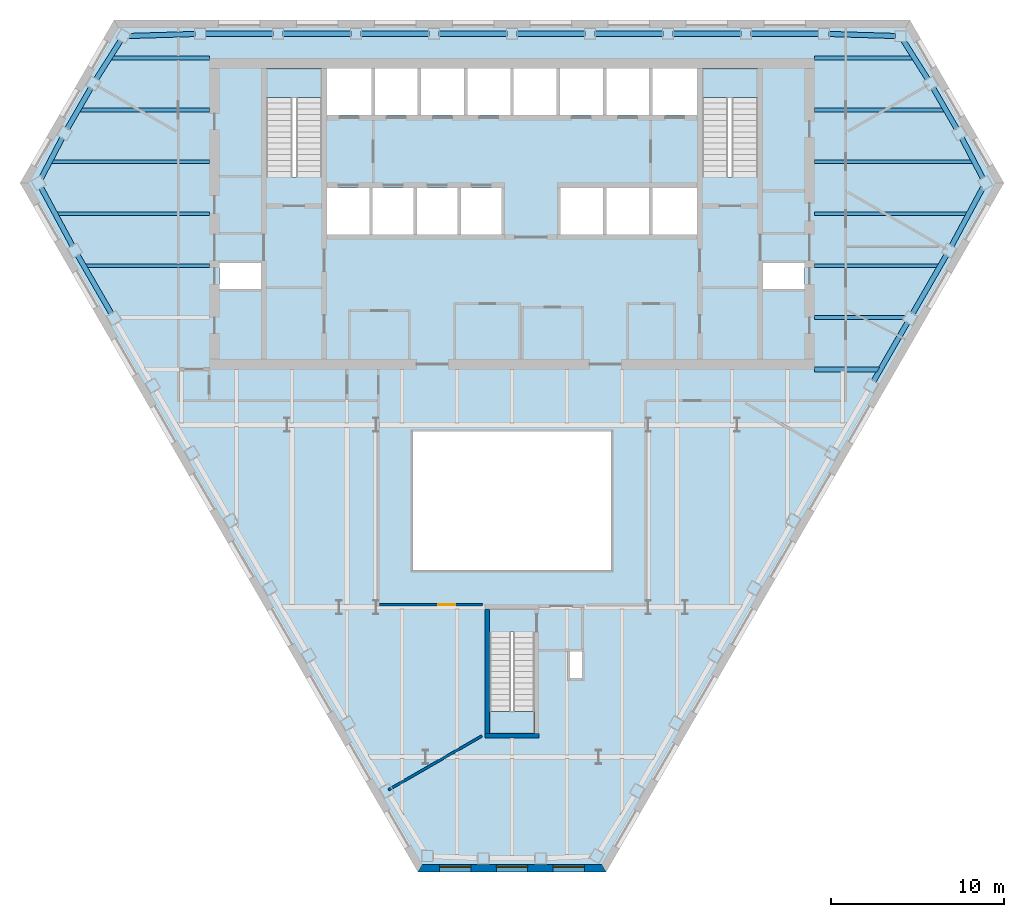
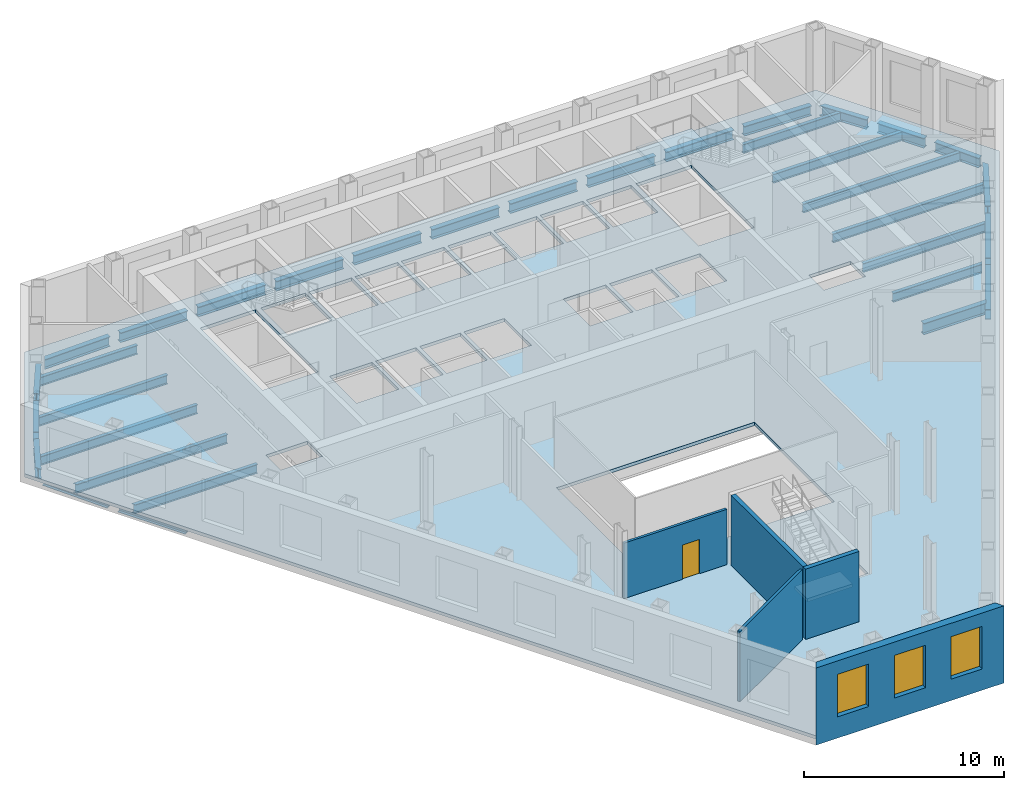
# One storey, part 3 of 10: 33 beams, 5 walls, 4 slabs, 3 windows, 1 door, 4 openings, 3 elements without a shape of their own.
"""IFC4 building model written with IfcOpenShell, lengths in metres."""

from ifc_helpers import new_model, si_unit, direction, frame, frame_2d, origin, origin_2d, place, context, subcontext, project, spatial, polyline, rectangle, i_section, outline, extrude, clip, halfspace, material, layer, layer_set, material_profile, profile_set, type_object, element, fill, aggregate, save


model = new_model("IFC4")

# Units and contexts
model_context = context("Model", 3, precision=1e-05, world=origin(), true_north=direction((0.0, 1.0)))
body_context = subcontext(model_context, "Body", "Model", "MODEL_VIEW")
ifc_project = project(units=[si_unit("LENGTHUNIT", "METRE"), si_unit("AREAUNIT", "SQUARE_METRE"), si_unit("VOLUMEUNIT", "CUBIC_METRE"), si_unit("PLANEANGLEUNIT", "RADIAN"), si_unit("MASSUNIT", "GRAM", prefix="KILO")], contexts=[model_context])

# Site, building, storey
site_placement = place(None, origin())
site = spatial("IfcSite", under=ifc_project, at=site_placement, CompositionType="ELEMENT")
building_placement = place(site_placement, origin())
building = spatial("IfcBuilding", under=site, at=building_placement, Name="Njiva Tower", CompositionType="ELEMENT")
storey_placement = place(building_placement, frame((0.0, 0.0, 73.8)))
storey = spatial("IfcBuildingStorey", under=building, at=storey_placement, Name="L15", CompositionType="ELEMENT", Elevation=73.8)

# Beams
ifc_material_1 = material(Name="Steel S355 J2", Category="steel")
ifc_material_profile_1 = material_profile(ifc_material_1, i_section(OverallWidth=0.21, OverallDepth=0.55, WebThickness=0.0111, FlangeThickness=0.0172, at=origin_2d()), Name="IPE 550")
ifc_profile_set_1 = profile_set([ifc_material_profile_1], Name="Steel S355 J2")
beam_type_1 = type_object("IfcBeamType", Name="B10 Floor beam to the core IPE 550", PredefinedType="BEAM", material=ifc_profile_set_1)
beam_1_placement = place(storey_placement, frame((17.5, 3.0, -0.475), z_axis=(1.0, 0.0, 0.0), x_axis=(0.0, 1.0, 0.0)))
element("IfcBeam", 1, at=beam_1_placement, inside=storey, type_object=beam_type_1, Name="Floor beam to the core S05-B008", PredefinedType="BEAM", context=body_context, shape_type="Clipping", body=[
    clip(extrude(i_section(OverallWidth=0.21, OverallDepth=0.55, WebThickness=0.0111, FlangeThickness=0.0172, at=origin_2d()), origin(), (0.0, 0.0, 1.0), 5.261), halfspace(frame((-0.025, 0.0, 5.1655), z_axis=(-0.499998009787, 0.0, 0.866026552831), x_axis=(0.0, 1.0, 0.0)), False)),
])
beam_2_placement = place(storey_placement, frame((-24.723, 6.0, -0.475), z_axis=(1.0, 0.0, 0.0), x_axis=(0.0, 1.0, 0.0)))
element("IfcBeam", 2, at=beam_2_placement, inside=storey, type_object=beam_type_1, Name="Floor beam to the core S05-B004", PredefinedType="BEAM", context=body_context, shape_type="Clipping", body=[
    clip(extrude(i_section(OverallWidth=0.21, OverallDepth=0.55, WebThickness=0.0111, FlangeThickness=0.0172, at=origin_2d()), origin(), (0.0, 0.0, 1.0), 7.223), halfspace(frame((-0.025, 0.0, 0.095), z_axis=(-0.499998009787, 0.0, -0.866026552831), x_axis=(0.0, -1.0, 0.0)), False)),
])
beam_3_placement = place(storey_placement, frame((17.5, 6.0, -0.475), z_axis=(1.0, 0.0, 0.0), x_axis=(0.0, 1.0, 0.0)))
element("IfcBeam", 3, at=beam_3_placement, inside=storey, type_object=beam_type_1, Name="Floor beam to the core S05-B010", PredefinedType="BEAM", context=body_context, shape_type="Clipping", body=[
    clip(extrude(i_section(OverallWidth=0.21, OverallDepth=0.55, WebThickness=0.0111, FlangeThickness=0.0172, at=origin_2d()), origin(), (0.0, 0.0, 1.0), 7.223), halfspace(frame((-0.025, 0.0, 7.128), z_axis=(-0.499998009787, 0.0, 0.866026552831), x_axis=(0.0, 1.0, 0.0)), False)),
])
beam_4_placement = place(storey_placement, frame((-26.369, 9.0, -0.475), z_axis=(1.0, 0.0, 0.0), x_axis=(0.0, 1.0, 0.0)))
element("IfcBeam", 4, at=beam_4_placement, inside=storey, type_object=beam_type_1, Name="Floor beam to the core S05-B002", PredefinedType="BEAM", context=body_context, shape_type="Clipping", body=[
    clip(extrude(i_section(OverallWidth=0.21, OverallDepth=0.55, WebThickness=0.0111, FlangeThickness=0.0172, at=origin_2d()), origin(), (0.0, 0.0, 1.0), 8.869), halfspace(frame((-0.0237, 0.0, 0.0891), z_axis=(-0.473769423091, 0.0, -0.880648927634), x_axis=(0.0, -1.0, 0.0)), False)),
])
beam_5_placement = place(storey_placement, frame((17.5, 9.0, -0.475), z_axis=(1.0, 0.0, 0.0), x_axis=(0.0, 1.0, 0.0)))
element("IfcBeam", 5, at=beam_5_placement, inside=storey, type_object=beam_type_1, Name="Floor beam to the core S05-B011", PredefinedType="BEAM", context=body_context, shape_type="Clipping", body=[
    clip(extrude(i_section(OverallWidth=0.21, OverallDepth=0.55, WebThickness=0.0111, FlangeThickness=0.0172, at=origin_2d()), origin(), (0.0, 0.0, 1.0), 8.869), halfspace(frame((-0.0237, 0.0, 8.7799), z_axis=(-0.473769423091, 0.0, 0.880648927634), x_axis=(0.0, 1.0, 0.0)), False)),
])
beam_6_placement = place(storey_placement, frame((-26.684, 12.0, -0.475), z_axis=(1.0, 0.0, 0.0), x_axis=(0.0, 1.0, 0.0)))
element("IfcBeam", 6, at=beam_6_placement, inside=storey, type_object=beam_type_1, Name="Floor beam to the core S05-B001", PredefinedType="BEAM", context=body_context, shape_type="Clipping", body=[
    clip(extrude(i_section(OverallWidth=0.21, OverallDepth=0.55, WebThickness=0.0111, FlangeThickness=0.0172, at=origin_2d()), origin(), (0.0, 0.0, 1.0), 9.184), halfspace(frame((0.0232, 0.0, 0.0869), z_axis=(0.464049591961, 0.0, -0.885809221108), x_axis=(0.0, -1.0, 0.0)), False)),
])
beam_7_placement = place(storey_placement, frame((17.5, 12.0, -0.475), z_axis=(1.0, 0.0, 0.0), x_axis=(0.0, 1.0, 0.0)))
element("IfcBeam", 7, at=beam_7_placement, inside=storey, type_object=beam_type_1, Name="Floor beam to the core S05-B012", PredefinedType="BEAM", context=body_context, shape_type="Clipping", body=[
    clip(extrude(i_section(OverallWidth=0.21, OverallDepth=0.55, WebThickness=0.0111, FlangeThickness=0.0172, at=origin_2d()), origin(), (0.0, 0.0, 1.0), 9.184), halfspace(frame((0.0232, 0.0, 9.0971), z_axis=(0.464049591961, 0.0, 0.885809221108), x_axis=(0.0, 1.0, 0.0)), False)),
])
beam_8_placement = place(storey_placement, frame((-25.044, 15.0, -0.475), z_axis=(1.0, 0.0, 0.0), x_axis=(0.0, 1.0, 0.0)))
element("IfcBeam", 8, at=beam_8_placement, inside=storey, type_object=beam_type_1, Name="Floor beam to the core S05-B003", PredefinedType="BEAM", context=body_context, shape_type="Clipping", body=[
    clip(extrude(i_section(OverallWidth=0.21, OverallDepth=0.55, WebThickness=0.0111, FlangeThickness=0.0172, at=origin_2d()), origin(), (0.0, 0.0, 1.0), 7.544), halfspace(frame((0.025, 0.0, 0.0954), z_axis=(0.499998009787, 0.0, -0.866026552831), x_axis=(0.0, -1.0, 0.0)), False)),
])
beam_9_placement = place(storey_placement, frame((17.5, 15.0, -0.475), z_axis=(1.0, 0.0, 0.0), x_axis=(0.0, 1.0, 0.0)))
element("IfcBeam", 9, at=beam_9_placement, inside=storey, type_object=beam_type_1, Name="Floor beam to the core S05-B013", PredefinedType="BEAM", context=body_context, shape_type="Clipping", body=[
    clip(extrude(i_section(OverallWidth=0.21, OverallDepth=0.55, WebThickness=0.0111, FlangeThickness=0.0172, at=origin_2d()), origin(), (0.0, 0.0, 1.0), 7.544), halfspace(frame((0.025, 0.0, 7.4486), z_axis=(0.499998009787, 0.0, 0.866026552831), x_axis=(0.0, 1.0, 0.0)), False)),
])
beam_10_placement = place(storey_placement, frame((-23.232, 18.0, -0.475), z_axis=(1.0, 0.0, 0.0), x_axis=(0.0, 1.0, 0.0)))
element("IfcBeam", 10, at=beam_10_placement, inside=storey, type_object=beam_type_1, Name="Floor beam to the core S05-B005", PredefinedType="BEAM", context=body_context, shape_type="Clipping", body=[
    clip(extrude(i_section(OverallWidth=0.21, OverallDepth=0.55, WebThickness=0.0111, FlangeThickness=0.0172, at=origin_2d()), origin(), (0.0, 0.0, 1.0), 5.732), halfspace(frame((0.0268, 0.0, 0.1036), z_axis=(0.535111080792, 0.0, -0.84478170625), x_axis=(0.0, -1.0, 0.0)), False)),
])
beam_11_placement = place(storey_placement, frame((17.5, 18.0, -0.475), z_axis=(1.0, 0.0, 0.0), x_axis=(0.0, 1.0, 0.0)))
element("IfcBeam", 11, at=beam_11_placement, inside=storey, type_object=beam_type_1, Name="Floor beam to the core S05-B014", PredefinedType="BEAM", context=body_context, shape_type="Clipping", body=[
    clip(extrude(i_section(OverallWidth=0.21, OverallDepth=0.55, WebThickness=0.0111, FlangeThickness=0.0172, at=origin_2d()), origin(), (0.0, 0.0, 1.0), 5.732), halfspace(frame((0.0268, 0.0, 5.6284), z_axis=(0.535111080792, 0.0, 0.84478170625), x_axis=(0.0, 1.0, 0.0)), False)),
])
ifc_material_profile_2 = material_profile(ifc_material_1, i_section(OverallWidth=0.3, OverallDepth=0.69, WebThickness=0.0145, FlangeThickness=0.027, at=origin_2d()), Name="HEA 700")
ifc_profile_set_2 = profile_set([ifc_material_profile_2], Name="Steel S355 J2")
beam_type_2 = type_object("IfcBeamType", Name="B16 Short-span floor girder HEA 700", PredefinedType="BEAM", material=ifc_profile_set_2)
beam_12_placement = place(storey_placement, frame((17.5, 0.0, -0.545), z_axis=(1.0, 0.0, 0.0), x_axis=(0.0, 1.0, 0.0)))
element("IfcBeam", 12, at=beam_12_placement, inside=storey, type_object=beam_type_2, Name="Short-span floor girder S05-B027", PredefinedType="BEAM", context=body_context, shape_type="Clipping", body=[
    clip(extrude(i_section(OverallWidth=0.3, OverallDepth=0.69, WebThickness=0.0145, FlangeThickness=0.027, at=origin_2d()), origin(), (0.0, 0.0, 1.0), 3.785), halfspace(frame((-0.025, 0.0, 3.6639), z_axis=(-0.499998009787, 0.0, 0.866026552831), x_axis=(0.0, 1.0, 0.0)), False)),
])
ifc_material_profile_3 = material_profile(ifc_material_1, i_section(OverallWidth=0.3, OverallDepth=0.6, WebThickness=0.0155, FlangeThickness=0.03, at=origin_2d()), Name="HEB 600")
ifc_profile_set_3 = profile_set([ifc_material_profile_3], Name="Steel S355 J2")
beam_type_3 = type_object("IfcBeamType", Name="B3 Short-span spandrel beam HEB 600", PredefinedType="SPANDREL", material=ifc_profile_set_3)
beam_13_placement = place(storey_placement, frame((22.157, 19.276, -0.5), z_axis=(-0.999547870884, 0.030067487615, 0.0), x_axis=(-0.030067487615, -0.999547870884, 0.0)))
element("IfcBeam", 13, at=beam_13_placement, inside=storey, type_object=beam_type_3, Name="Short-span spandrel beam S05-B157", PredefinedType="SPANDREL", context=body_context, shape_type="SweptSolid", body=[
    extrude(i_section(OverallWidth=0.3, OverallDepth=0.6, WebThickness=0.0155, FlangeThickness=0.03, at=origin_2d()), origin(), (0.0, 0.0, 1.0), 3.8247),
])
beam_14_placement = place(storey_placement, frame((17.73, 19.4, -0.5), z_axis=(-1.0, 0.0, 0.0), x_axis=(0.0, -1.0, 0.0)))
element("IfcBeam", 14, at=beam_14_placement, inside=storey, type_object=beam_type_3, Name="Short-span spandrel beam S05-B151", PredefinedType="SPANDREL", context=body_context, shape_type="SweptSolid", body=[
    extrude(i_section(OverallWidth=0.3, OverallDepth=0.6, WebThickness=0.0155, FlangeThickness=0.03, at=origin_2d()), origin(), (0.0, 0.0, 1.0), 3.907),
])
beam_15_placement = place(storey_placement, frame((13.223, 19.4, -0.5), z_axis=(-1.0, 0.0, 0.0), x_axis=(0.0, -1.0, 0.0)))
element("IfcBeam", 15, at=beam_15_placement, inside=storey, type_object=beam_type_3, Name="Short-span spandrel beam S05-B145", PredefinedType="SPANDREL", context=body_context, shape_type="SweptSolid", body=[
    extrude(i_section(OverallWidth=0.3, OverallDepth=0.6, WebThickness=0.0155, FlangeThickness=0.03, at=origin_2d()), origin(), (0.0, 0.0, 1.0), 3.908),
])
beam_16_placement = place(storey_placement, frame((8.715, 19.4, -0.5), z_axis=(-1.0, 0.0, 0.0), x_axis=(0.0, -1.0, 0.0)))
element("IfcBeam", 16, at=beam_16_placement, inside=storey, type_object=beam_type_3, Name="Short-span spandrel beam S05-B140", PredefinedType="SPANDREL", context=body_context, shape_type="SweptSolid", body=[
    extrude(i_section(OverallWidth=0.3, OverallDepth=0.6, WebThickness=0.0155, FlangeThickness=0.03, at=origin_2d()), origin(), (0.0, 0.0, 1.0), 3.907),
])
for number, where, z_axis, x_axis, name in (
    (17, (4.208, 19.4, -0.5), (-1.0, 0.0, 0.0), (0.0, -1.0, 0.0), "Short-span spandrel beam S05-B137"),
    (18, (-0.3, 19.4, -0.5), (-1.0, 0.0, 0.0), (0.0, -1.0, 0.0), "Short-span spandrel beam S05-B134"),
):
    element("IfcBeam", number, at=place(storey_placement, frame(where, z_axis=z_axis, x_axis=x_axis)), inside=storey, type_object=beam_type_3, Name=name, PredefinedType="SPANDREL", context=body_context, shape_type="SweptSolid", body=[
        extrude(i_section(OverallWidth=0.3, OverallDepth=0.6, WebThickness=0.0155, FlangeThickness=0.03, at=origin_2d()), origin(), (0.0, 0.0, 1.0), 3.908),
    ])
beam_17_placement = place(storey_placement, frame((-4.808, 19.4, -0.5), z_axis=(-1.0, 0.0, 0.0), x_axis=(0.0, -1.0, 0.0)))
element("IfcBeam", 19, at=beam_17_placement, inside=storey, type_object=beam_type_3, Name="Short-span spandrel beam S05-B129", PredefinedType="SPANDREL", context=body_context, shape_type="SweptSolid", body=[
    extrude(i_section(OverallWidth=0.3, OverallDepth=0.6, WebThickness=0.0155, FlangeThickness=0.03, at=origin_2d()), origin(), (0.0, 0.0, 1.0), 3.907),
])
beam_18_placement = place(storey_placement, frame((-9.315, 19.4, -0.5), z_axis=(-1.0, 0.0, 0.0), x_axis=(0.0, -1.0, 0.0)))
element("IfcBeam", 20, at=beam_18_placement, inside=storey, type_object=beam_type_3, Name="Short-span spandrel beam S05-B124", PredefinedType="SPANDREL", context=body_context, shape_type="SweptSolid", body=[
    extrude(i_section(OverallWidth=0.3, OverallDepth=0.6, WebThickness=0.0155, FlangeThickness=0.03, at=origin_2d()), origin(), (0.0, 0.0, 1.0), 3.908),
])
beam_19_placement = place(storey_placement, frame((-13.823, 19.4, -0.5), z_axis=(-1.0, 0.0, 0.0), x_axis=(0.0, -1.0, 0.0)))
element("IfcBeam", 21, at=beam_19_placement, inside=storey, type_object=beam_type_3, Name="Short-span spandrel beam S05-B118", PredefinedType="SPANDREL", context=body_context, shape_type="SweptSolid", body=[
    extrude(i_section(OverallWidth=0.3, OverallDepth=0.6, WebThickness=0.0155, FlangeThickness=0.03, at=origin_2d()), origin(), (0.0, 0.0, 1.0), 3.907),
])
beam_20_placement = place(storey_placement, frame((-18.334, 19.391, -0.5), z_axis=(-0.999544331639, -0.030184914916, 0.0), x_axis=(0.030184914916, -0.999544331639, 0.0)))
element("IfcBeam", 22, at=beam_20_placement, inside=storey, type_object=beam_type_3, Name="Short-span spandrel beam S05-B112", PredefinedType="SPANDREL", context=body_context, shape_type="Clipping", body=[
    clip(extrude(i_section(OverallWidth=0.3, OverallDepth=0.6, WebThickness=0.0155, FlangeThickness=0.03, at=origin_2d()), origin(), (0.0, 0.0, 1.0), 3.8897), halfspace(frame((-0.0268, 0.0, 3.76), z_axis=(-0.525911114325, 0.0, 0.850539534548), x_axis=(0.0, 1.0, 0.0)), False)),
])
beam_21_placement = place(storey_placement, frame((-22.625, 19.009, -0.5), z_axis=(-0.535006913074, -0.844847680333, 0.0), x_axis=(0.844847680333, -0.535006913074, 0.0)))
element("IfcBeam", 23, at=beam_21_placement, inside=storey, type_object=beam_type_3, Name="Short-span spandrel beam S05-B108", PredefinedType="SPANDREL", context=body_context, shape_type="SweptSolid", body=[
    extrude(i_section(OverallWidth=0.3, OverallDepth=0.6, WebThickness=0.0155, FlangeThickness=0.03, at=origin_2d()), origin(), (0.0, 0.0, 1.0), 2.6336),
])
beam_22_placement = place(storey_placement, frame((-24.347, 16.266, -0.5), z_axis=(-0.500253084543, -0.86587923604, 0.0), x_axis=(0.86587923604, -0.500253084543, 0.0)))
element("IfcBeam", 24, at=beam_22_placement, inside=storey, type_object=beam_type_3, Name="Short-span spandrel beam S05-B104", PredefinedType="SPANDREL", context=body_context, shape_type="SweptSolid", body=[
    extrude(i_section(OverallWidth=0.3, OverallDepth=0.6, WebThickness=0.0155, FlangeThickness=0.03, at=origin_2d()), origin(), (0.0, 0.0, 1.0), 2.7186),
])
beam_23_placement = place(storey_placement, frame((-25.999, 13.381, -0.5), z_axis=(-0.464006994671, -0.88583153528, 0.0), x_axis=(0.88583153528, -0.464006994671, 0.0)))
element("IfcBeam", 25, at=beam_23_placement, inside=storey, type_object=beam_type_3, Name="Short-span spandrel beam S05-B101", PredefinedType="SPANDREL", context=body_context, shape_type="Clipping", body=[
    clip(extrude(i_section(OverallWidth=0.3, OverallDepth=0.6, WebThickness=0.0155, FlangeThickness=0.03, at=origin_2d()), origin(), (0.0, 0.0, 1.0), 2.699), halfspace(frame((-0.0266, 0.0, 2.567), z_axis=(-0.535151057026, 0.0, 0.844756382731), x_axis=(0.0, 1.0, 0.0)), False)),
])
beam_24_placement = place(storey_placement, frame((-27.219, 10.51, -0.5), z_axis=(0.473881592304, -0.880588573896, 0.0), x_axis=(0.880588573896, 0.473881592304, 0.0)))
element("IfcBeam", 26, at=beam_24_placement, inside=storey, type_object=beam_type_3, Name="Short-span spandrel beam S05-B100", PredefinedType="SPANDREL", context=body_context, shape_type="SweptSolid", body=[
    extrude(i_section(OverallWidth=0.3, OverallDepth=0.6, WebThickness=0.0155, FlangeThickness=0.03, at=origin_2d()), origin(), (0.0, 0.0, 1.0), 3.8259),
])
beam_25_placement = place(storey_placement, frame((-25.112, 6.614, -0.5), z_axis=(0.499855389907, -0.866108878364, 0.0), x_axis=(0.866108878364, 0.499855389907, 0.0)))
element("IfcBeam", 27, at=beam_25_placement, inside=storey, type_object=beam_type_3, Name="Short-span spandrel beam S05-B105", PredefinedType="SPANDREL", context=body_context, shape_type="SweptSolid", body=[
    extrude(i_section(OverallWidth=0.3, OverallDepth=0.6, WebThickness=0.0155, FlangeThickness=0.03, at=origin_2d()), origin(), (0.0, 0.0, 1.0), 3.9071),
])
beam_26_placement = place(storey_placement, frame((20.905, -0.674, -0.5), z_axis=(0.500047346826, 0.865998066356, 0.0), x_axis=(-0.865998066356, 0.500047346826, 0.0)))
element("IfcBeam", 28, at=beam_26_placement, inside=storey, type_object=beam_type_3, Name="Short-span spandrel beam S05-B162", PredefinedType="SPANDREL", context=body_context, shape_type="SweptSolid", body=[
    extrude(i_section(OverallWidth=0.3, OverallDepth=0.6, WebThickness=0.0155, FlangeThickness=0.03, at=origin_2d()), origin(), (0.0, 0.0, 1.0), 3.9076),
])
beam_27_placement = place(storey_placement, frame((23.159, 3.23, -0.5), z_axis=(0.499855389907, 0.866108878364, 0.0), x_axis=(-0.866108878364, 0.499855389907, 0.0)))
element("IfcBeam", 29, at=beam_27_placement, inside=storey, type_object=beam_type_3, Name="Short-span spandrel beam S05-B166", PredefinedType="SPANDREL", context=body_context, shape_type="SweptSolid", body=[
    extrude(i_section(OverallWidth=0.3, OverallDepth=0.6, WebThickness=0.0155, FlangeThickness=0.03, at=origin_2d()), origin(), (0.0, 0.0, 1.0), 3.9071),
])
beam_28_placement = place(storey_placement, frame((25.406, 7.141, -0.5), z_axis=(0.473799891444, 0.880632535662, 0.0), x_axis=(-0.880632535662, 0.473799891444, 0.0)))
element("IfcBeam", 30, at=beam_28_placement, inside=storey, type_object=beam_type_3, Name="Short-span spandrel beam S05-B170", PredefinedType="SPANDREL", context=body_context, shape_type="Clipping", body=[
    clip(extrude(i_section(OverallWidth=0.3, OverallDepth=0.6, WebThickness=0.0155, FlangeThickness=0.03, at=origin_2d()), origin(), (0.0, 0.0, 1.0), 3.891), halfspace(frame((-0.0262, 0.0, 3.7613), z_axis=(-0.525752156411, 0.0, 0.850637801904), x_axis=(0.0, 1.0, 0.0)), False)),
])
beam_29_placement = place(storey_placement, frame((27.221, 11.048, -0.5), z_axis=(-0.463992806551, 0.885838967008, 0.0), x_axis=(-0.885838967008, -0.463992806551, 0.0)))
element("IfcBeam", 31, at=beam_29_placement, inside=storey, type_object=beam_type_3, Name="Short-span spandrel beam S05-B171", PredefinedType="SPANDREL", context=body_context, shape_type="SweptSolid", body=[
    extrude(i_section(OverallWidth=0.3, OverallDepth=0.6, WebThickness=0.0155, FlangeThickness=0.03, at=origin_2d()), origin(), (0.0, 0.0, 1.0), 2.6337),
])
beam_30_placement = place(storey_placement, frame((25.707, 13.912, -0.5), z_axis=(-0.500253084543, 0.86587923604, 0.0), x_axis=(-0.86587923604, -0.500253084543, 0.0)))
element("IfcBeam", 32, at=beam_30_placement, inside=storey, type_object=beam_type_3, Name="Short-span spandrel beam S05-B167", PredefinedType="SPANDREL", context=body_context, shape_type="SweptSolid", body=[
    extrude(i_section(OverallWidth=0.3, OverallDepth=0.6, WebThickness=0.0155, FlangeThickness=0.03, at=origin_2d()), origin(), (0.0, 0.0, 1.0), 2.7186),
])
beam_31_placement = place(storey_placement, frame((24.034, 16.784, -0.5), z_axis=(-0.535171755525, 0.844743269928, 0.0), x_axis=(-0.844743269928, -0.535171755525, 0.0)))
element("IfcBeam", 33, at=beam_31_placement, inside=storey, type_object=beam_type_3, Name="Short-span spandrel beam S05-B163", PredefinedType="SPANDREL", context=body_context, shape_type="Clipping", body=[
    clip(extrude(i_section(OverallWidth=0.3, OverallDepth=0.6, WebThickness=0.0155, FlangeThickness=0.03, at=origin_2d()), origin(), (0.0, 0.0, 1.0), 2.6992), halfspace(frame((-0.0269, 0.0, 2.5671), z_axis=(-0.535171755525, 0.0, 0.844743269928), x_axis=(0.0, 1.0, 0.0)), False)),
])

# Stair, slab
ifc_material_2 = material(Name="Concrete C40/50", Category="concrete")
stair_type_1 = type_object("IfcStairType", Name="ST4 Exit stair 1500", PredefinedType="HALF_TURN_STAIR", material=ifc_material_2)
stair_1_placement = place(storey_placement, origin())
stair_1 = element("IfcStair", 34, at=stair_1_placement, inside=storey, type_object=stair_type_1, Name="Stair A", PredefinedType="HALF_TURN_STAIR")
ifc_layer_1 = layer(ifc_material_2, 0.2)
ifc_layer_set_1 = layer_set([ifc_layer_1], Name="Concrete C40/50")
slab_type_1 = type_object("IfcSlabType", Name="FL9 Stair landing 200", PredefinedType="LANDING", material=ifc_layer_set_1)
slab_1_placement = place(storey_placement, frame((0.0, 0.0, 2.05)))
slab_1 = element("IfcSlab", 35, at=slab_1_placement, type_object=slab_type_1, Name="ST-A landing 1", PredefinedType="LANDING", context=body_context, shape_type="SweptSolid", body=[
    extrude(outline(polyline([(-14.206, 15.72), (-10.994, 15.72), (-10.994, 17.4), (-14.206, 17.4), (-14.206, 15.72)])), origin(), (0.0, 0.0, 1.0), 0.2),
])
aggregate(stair_1, [slab_1])

stair_2_placement = place(storey_placement, origin())
stair_2 = element("IfcStair", 36, at=stair_2_placement, inside=storey, type_object=stair_type_1, Name="Stair B", PredefinedType="HALF_TURN_STAIR")
slab_2_placement = place(storey_placement, frame((0.0, 0.0, 2.05)))
slab_2 = element("IfcSlab", 37, at=slab_2_placement, type_object=slab_type_1, Name="ST-B landing 1", PredefinedType="LANDING", context=body_context, shape_type="SweptSolid", body=[
    extrude(outline(polyline([(10.994, 15.72), (14.206, 15.72), (14.206, 17.4), (10.994, 17.4), (10.994, 15.72)])), origin(), (0.0, 0.0, 1.0), 0.2),
])
aggregate(stair_2, [slab_2])

stair_type_2 = type_object("IfcStairType", Name="ST1 Exit stair 1250", PredefinedType="HALF_TURN_STAIR", material=ifc_material_2)
stair_3_placement = place(storey_placement, origin())
stair_3 = element("IfcStair", 38, at=stair_3_placement, inside=storey, type_object=stair_type_2, Name="Stair C", PredefinedType="HALF_TURN_STAIR")
slab_3_placement = place(storey_placement, frame((0.0, 0.0, 2.05)))
slab_3 = element("IfcSlab", 39, at=slab_3_placement, type_object=slab_type_1, Name="ST-C landing 1", PredefinedType="LANDING", context=body_context, shape_type="SweptSolid", body=[
    extrude(outline(polyline([(-1.306, -21.05), (1.306, -21.05), (1.306, -19.78), (-1.306, -19.78), (-1.306, -21.05)])), origin(), (0.0, 0.0, 1.0), 0.2),
])
aggregate(stair_3, [slab_3])

# Slab
ifc_material_3 = material(Name="Concrete C30/37", Category="concrete")
ifc_layer_2 = layer(ifc_material_3, 0.2)
ifc_layer_set_2 = layer_set([ifc_layer_2], Name="Concrete C30/37")
slab_type_2 = type_object("IfcSlabType", Name="SL16 Composite floor slab 200", PredefinedType="FLOOR", material=ifc_layer_set_2)
slab_4_placement = place(storey_placement, frame((0.0, 0.0, -0.2)))
element("IfcSlab", 40, at=slab_4_placement, inside=storey, type_object=slab_type_2, Name="Floor slab L15", PredefinedType="FLOOR", context=body_context, shape_type="SweptSolid", body=[
    extrude(outline(polyline([(28.1802, 10.7776), (5.3101, -28.8345), (-5.3101, -28.8345), (-28.1802, 10.7776), (-22.8701, 19.975), (22.8701, 19.975), (28.1802, 10.7776)]), holes=[polyline([(14.5, 4.65), (16.9, 4.65), (16.9, 6.15), (14.5, 6.15), (14.5, 4.65)]), polyline([(10.994, 17.4), (10.994, 11.13), (14.206, 11.13), (14.206, 17.4), (10.994, 17.4)]), polyline([(8.125, 17.4), (8.125, 14.7), (10.7, 14.7), (10.7, 17.4), (8.125, 17.4)]), polyline([(8.1333, 7.8), (10.7, 7.8), (10.7, 10.5), (8.1333, 10.5), (8.1333, 7.8)]), polyline([(5.4667, 10.5), (5.4667, 7.8), (7.9333, 7.8), (7.9333, 10.5), (5.4667, 10.5)]), polyline([(5.45, 17.4), (5.45, 14.7), (7.925, 14.7), (7.925, 17.4), (5.45, 17.4)]), polyline([(5.72, -11.6), (5.72, -3.6), (-5.72, -3.6), (-5.72, -11.6), (5.72, -11.6)]), polyline([(2.8, 10.5), (2.8, 7.8), (5.2667, 7.8), (5.2667, 10.5), (2.8, 10.5)]), polyline([(2.775, 14.7), (5.25, 14.7), (5.25, 17.4), (2.775, 17.4), (2.775, 14.7)]), polyline([(3.35, -17.85), (4.05, -17.85), (4.05, -16.3), (3.35, -16.3), (3.35, -17.85)]), polyline([(0.1, 17.4), (0.1, 14.7), (2.575, 14.7), (2.575, 17.4), (0.1, 17.4)]), polyline([(-1.306, -21.05), (1.306, -21.05), (1.306, -15.19), (-1.306, -15.19), (-1.306, -21.05)]), polyline([(-2.575, 17.4), (-2.575, 14.7), (-0.1, 14.7), (-0.1, 17.4), (-2.575, 17.4)]), polyline([(-2.95, 7.8), (-0.6, 7.8), (-0.6, 10.5), (-2.95, 10.5), (-2.95, 7.8)]), polyline([(-5.25, 17.4), (-5.25, 14.7), (-2.775, 14.7), (-2.775, 17.4), (-5.25, 17.4)]), polyline([(-5.5, 10.5), (-5.5, 7.8), (-3.15, 7.8), (-3.15, 10.5), (-5.5, 10.5)]), polyline([(-7.925, 14.7), (-5.45, 14.7), (-5.45, 17.4), (-7.925, 17.4), (-7.925, 14.7)]), polyline([(-8.05, 10.5), (-8.05, 7.8), (-5.7, 7.8), (-5.7, 10.5), (-8.05, 10.5)]), polyline([(-10.7, 17.4), (-10.7, 14.7), (-8.125, 14.7), (-8.125, 17.4), (-10.7, 17.4)]), polyline([(-10.7, 7.8), (-8.25, 7.8), (-8.25, 10.5), (-10.7, 10.5), (-10.7, 7.8)]), polyline([(-14.206, 17.4), (-14.206, 11.13), (-10.994, 11.13), (-10.994, 17.4), (-14.206, 17.4)]), polyline([(-16.9, 4.65), (-14.5, 4.65), (-14.5, 6.15), (-16.9, 6.15), (-16.9, 4.65)])]), origin(), (0.0, 0.0, 1.0), 0.2),
])

# Wall, opening, door
ifc_material_4 = material(Name="Gypsum board on steel studs", Category="gypsum")
ifc_layer_3 = layer(ifc_material_4, 0.15)
ifc_layer_set_3 = layer_set([ifc_layer_3], Name="Gypsum board on steel studs")
wall_type_1 = type_object("IfcWallType", Name="WT21 Compartment wall 150", PredefinedType="PARTITIONING", material=ifc_layer_set_3)
wall_1_placement = place(storey_placement, frame((-7.645, -13.6, 0.0), z_axis=(0.0, 0.0, 1.0), x_axis=(1.0, 0.0, 0.0)))
wall_1 = element("IfcWall", 41, at=wall_1_placement, inside=storey, type_object=wall_type_1, Name="Partition S05-P008", PredefinedType="PARTITIONING", context=body_context, shape_type="SweptSolid", body=[
    extrude(rectangle(XDim=5.945, YDim=0.15, at=frame_2d((2.9725, 0.0))), origin(), (0.0, 0.0, 1.0), 3.39),
])
opening_1_placement = place(wall_1_placement, frame((3.378, 0.0, 0.0)))
opening_1 = element("IfcOpeningElement", 42, at=opening_1_placement, cuts=wall_1, Name="Opening S05-D006", PredefinedType="OPENING", context=body_context, shape_type="SweptSolid", body=[
    extrude(rectangle(XDim=1.0, YDim=2.1, at=frame_2d((0.5, 1.05))), frame((0.0, 0.085, 0.0), z_axis=(0.0, -1.0, 0.0), x_axis=(1.0, 0.0, 0.0)), (0.0, 0.0, 1.0), 0.17),
])
ifc_material_5 = material(Name="Steel fire door set", Category="steel")
door_type = type_object("IfcDoorType", Name="D37 Fire door 1000x2100", OperationType="SINGLE_SWING_LEFT", PredefinedType="DOOR", material=ifc_material_5)
door_placement = place(opening_1_placement, origin())
door = element("IfcDoor", 43, at=door_placement, inside=storey, type_object=door_type, Name="Door S05-D006", OperationType="SINGLE_SWING_RIGHT", OverallHeight=2.1, OverallWidth=1.0, PredefinedType="DOOR", context=body_context, shape_type="SweptSolid", body=[
    extrude(rectangle(XDim=1.0, YDim=2.1, at=frame_2d((0.5, 1.05))), frame((0.0, 0.025, 0.0), z_axis=(0.0, -1.0, 0.0), x_axis=(1.0, 0.0, 0.0)), (0.0, 0.0, 1.0), 0.05),
])
fill(opening_1, door)

# Walls
wall_2_placement = place(storey_placement, frame((-7.146, -24.304, 0.0), z_axis=(0.0, 0.0, 1.0), x_axis=(0.86615625953, 0.499773282676, 0.0)))
element("IfcWall", 44, at=wall_2_placement, inside=storey, type_object=wall_type_1, Name="Partition S05-P009", PredefinedType="PARTITIONING", context=body_context, shape_type="SweptSolid", body=[
    extrude(rectangle(XDim=6.2448, YDim=0.15, at=frame_2d((3.1224, 0.0))), origin(), (0.0, 0.0, 1.0), 4.3),
])
ifc_layer_4 = layer(ifc_material_2, 0.25)
ifc_layer_set_4 = layer_set([ifc_layer_4], Name="Concrete C40/50")
wall_type_2 = type_object("IfcWallType", Name="WT9 Stair enclosure wall 250", PredefinedType="SHEAR", material=ifc_layer_set_4)
wall_3_placement = place(storey_placement, frame((-1.425, -21.05, 0.0), z_axis=(0.0, 0.0, 1.0), x_axis=(0.0, 1.0, 0.0)))
element("IfcWall", 45, at=wall_3_placement, inside=storey, type_object=wall_type_2, Name="Stair C wall west", PredefinedType="SHEAR", context=body_context, shape_type="SweptSolid", body=[
    extrude(rectangle(XDim=7.2, YDim=0.25, at=frame_2d((3.6, 0.0))), origin(), (0.0, 0.0, 1.0), 4.3),
])
wall_4_placement = place(storey_placement, frame((-1.55, -21.175, 0.0), z_axis=(0.0, 0.0, 1.0), x_axis=(1.0, 0.0, 0.0)))
element("IfcWall", 46, at=wall_4_placement, inside=storey, type_object=wall_type_2, Name="Stair C wall south", PredefinedType="SHEAR", context=body_context, shape_type="SweptSolid", body=[
    extrude(rectangle(XDim=3.1, YDim=0.25, at=frame_2d((1.55, 0.0))), origin(), (0.0, 0.0, 1.0), 4.3),
])

# Wall, openings, windows
ifc_material_6 = material(Name="Brick masonry, buff", Category="masonry")
ifc_layer_5 = layer(ifc_material_6, 0.45)
ifc_layer_set_5 = layer_set([ifc_layer_5], Name="Brick masonry, buff")
wall_type_3 = type_object("IfcWallType", Name="WT94 Brick pier and spandrel wall 450, buff", PredefinedType="SOLIDWALL", material=ifc_layer_set_5)
wall_5_placement = place(storey_placement, frame((-5.3101, -28.8345, -0.4), z_axis=(0.0, 0.0, 1.0), x_axis=(1.0, 0.0, 0.0)))
wall_5 = element("IfcWall", 47, at=wall_5_placement, inside=storey, type_object=wall_type_3, Name="Facade wall S", PredefinedType="SOLIDWALL", context=body_context, shape_type="SweptSolid", body=[
    extrude(outline(polyline([(-0.1299, -0.225), (10.7501, -0.225), (10.4903, 0.225), (0.1299, 0.225), (-0.1299, -0.225)])), origin(), (0.0, 0.0, 1.0), 4.72),
])
opening_2_placement = place(wall_5_placement, frame((1.1297, 0.0, 1.3)))
opening_2 = element("IfcOpeningElement", 48, at=opening_2_placement, cuts=wall_5, Name="Opening S05-W22", PredefinedType="OPENING", context=body_context, shape_type="SweptSolid", body=[
    extrude(rectangle(XDim=1.8, YDim=2.6, at=frame_2d((0.9, 1.3))), frame((0.0, 0.235, 0.0), z_axis=(0.0, -1.0, 0.0), x_axis=(1.0, 0.0, 0.0)), (0.0, 0.0, 1.0), 0.47),
])
opening_3_placement = place(wall_5_placement, frame((4.4101, 0.0, 1.3)))
opening_3 = element("IfcOpeningElement", 49, at=opening_3_placement, cuts=wall_5, Name="Opening S05-W23", PredefinedType="OPENING", context=body_context, shape_type="SweptSolid", body=[
    extrude(rectangle(XDim=1.8, YDim=2.6, at=frame_2d((0.9, 1.3))), frame((0.0, 0.235, 0.0), z_axis=(0.0, -1.0, 0.0), x_axis=(1.0, 0.0, 0.0)), (0.0, 0.0, 1.0), 0.47),
])
opening_4_placement = place(wall_5_placement, frame((7.6904, 0.0, 1.3)))
opening_4 = element("IfcOpeningElement", 50, at=opening_4_placement, cuts=wall_5, Name="Opening S05-W24", PredefinedType="OPENING", context=body_context, shape_type="SweptSolid", body=[
    extrude(rectangle(XDim=1.8, YDim=2.6, at=frame_2d((0.9, 1.3))), frame((0.0, 0.235, 0.0), z_axis=(0.0, -1.0, 0.0), x_axis=(1.0, 0.0, 0.0)), (0.0, 0.0, 1.0), 0.47),
])
ifc_material_7 = material(Name="Clear glazing in aluminium frame", Category="aluminium")
window_type = type_object("IfcWindowType", Name="W96 Deep-set window 1800x2600", PartitioningType="SINGLE_PANEL", PredefinedType="WINDOW", material=ifc_material_7)
window_1_placement = place(opening_2_placement, origin())
window_1 = element("IfcWindow", 51, at=window_1_placement, inside=storey, type_object=window_type, Name="Window", OverallHeight=2.6, OverallWidth=1.8, PartitioningType="SINGLE_PANEL", PredefinedType="WINDOW", context=body_context, shape_type="SweptSolid", body=[
    extrude(rectangle(XDim=1.8, YDim=2.6, at=frame_2d((0.9, 1.3))), frame((0.0, 0.105, 0.0), z_axis=(0.0, -1.0, 0.0), x_axis=(1.0, 0.0, 0.0)), (0.0, 0.0, 1.0), 0.06),
])
fill(opening_2, window_1)
window_2_placement = place(opening_3_placement, origin())
window_2 = element("IfcWindow", 52, at=window_2_placement, inside=storey, type_object=window_type, Name="Window", OverallHeight=2.6, OverallWidth=1.8, PartitioningType="SINGLE_PANEL", PredefinedType="WINDOW", context=body_context, shape_type="SweptSolid", body=[
    extrude(rectangle(XDim=1.8, YDim=2.6, at=frame_2d((0.9, 1.3))), frame((0.0, 0.105, 0.0), z_axis=(0.0, -1.0, 0.0), x_axis=(1.0, 0.0, 0.0)), (0.0, 0.0, 1.0), 0.06),
])
fill(opening_3, window_2)
window_3_placement = place(opening_4_placement, origin())
window_3 = element("IfcWindow", 53, at=window_3_placement, inside=storey, type_object=window_type, Name="Window", OverallHeight=2.6, OverallWidth=1.8, PartitioningType="SINGLE_PANEL", PredefinedType="WINDOW", context=body_context, shape_type="SweptSolid", body=[
    extrude(rectangle(XDim=1.8, YDim=2.6, at=frame_2d((0.9, 1.3))), frame((0.0, 0.105, 0.0), z_axis=(0.0, -1.0, 0.0), x_axis=(1.0, 0.0, 0.0)), (0.0, 0.0, 1.0), 0.06),
])
fill(opening_4, window_3)

save(model, "model.ifc")
